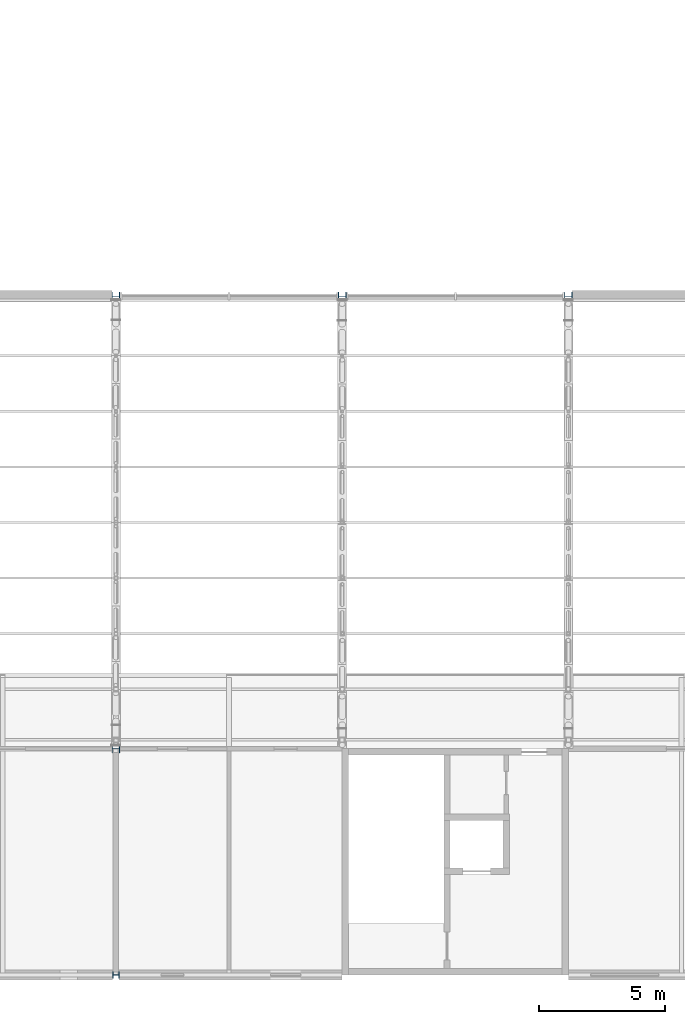
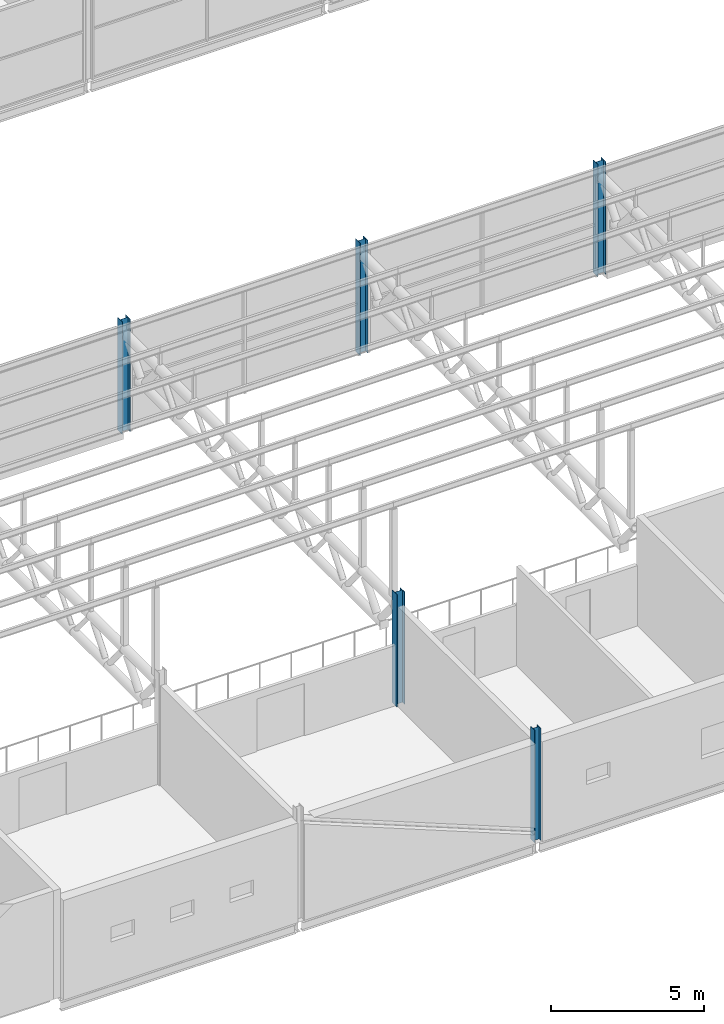
# One storey, part 7 of 138: 5 columns.
"""IFC4 building model written with IfcOpenShell, lengths in metres."""

from ifc_helpers import new_model, si_unit, direction, frame, origin, origin_2d, place, context, subcontext, project, spatial, i_section, extrude, material, material_profile, profile_set, type_object, element, save


model = new_model("IFC4")

# Units and contexts
model_context = context("Model", 3, precision=1e-05, world=origin(), true_north=direction((0.0, 1.0)))
body_context = subcontext(model_context, "Body", "Model", "MODEL_VIEW")
ifc_project = project(units=[si_unit("LENGTHUNIT", "METRE"), si_unit("AREAUNIT", "SQUARE_METRE"), si_unit("VOLUMEUNIT", "CUBIC_METRE"), si_unit("PLANEANGLEUNIT", "RADIAN"), si_unit("MASSUNIT", "GRAM", prefix="KILO")], contexts=[model_context])

# Site, building, storey
site_placement = place(None, origin())
site = spatial("IfcSite", under=ifc_project, at=site_placement, CompositionType="ELEMENT")
building_placement = place(site_placement, origin())
building = spatial("IfcBuilding", under=site, at=building_placement, Name="Corbel Yard City Hall", CompositionType="ELEMENT")
storey_placement = place(building_placement, frame((0.0, 0.0, 10.5)))
storey = spatial("IfcBuildingStorey", under=building, at=storey_placement, Name="L02", CompositionType="ELEMENT", Elevation=10.5)

# Columns
ifc_material = material(Name="Steel Grade 300 (300 MPa yield)", Category="steel")
ifc_material_profile_1 = material_profile(ifc_material, i_section(OverallWidth=0.25390625, OverallDepth=0.25390625, WebThickness=0.008544921875, FlangeThickness=0.01416015625, at=origin_2d()), Name="250UC72.9")
ifc_profile_set_1 = profile_set([ifc_material_profile_1], Name="Steel Grade 300 (300 MPa yield)")
column_type_1 = type_object("IfcColumnType", Name="Column 250UC72.9", PredefinedType="COLUMN", material=ifc_profile_set_1)
column_placement = place(storey_placement, frame((72.0, 0.0, 0.0), z_axis=(0.0, 0.0, 1.0), x_axis=(0.0, 1.0, 0.0)))
element("IfcColumn", 1, at=column_placement, inside=storey, type_object=column_type_1, Name="Column 250UC72.9 A/9 L02", PredefinedType="COLUMN", context=body_context, shape_type="SweptSolid", body=[
    extrude(i_section(OverallWidth=0.25390625, OverallDepth=0.25390625, WebThickness=0.008544921875, FlangeThickness=0.01416015625, at=origin_2d()), origin(), (0.0, 0.0, 1.0), 4.5),
])
ifc_material_profile_2 = material_profile(ifc_material, i_section(OverallWidth=0.304931640625, OverallDepth=0.30810546875, WebThickness=0.010009765625, FlangeThickness=0.015380859375, at=origin_2d()), Name="310UC96.8")
ifc_profile_set_2 = profile_set([ifc_material_profile_2], Name="Steel Grade 300 (300 MPa yield)")
column_type_2 = type_object("IfcColumnType", Name="Column 310UC96.8", PredefinedType="COLUMN", material=ifc_profile_set_2)
for number, where, z_axis, x_axis, name in (
    (2, (72.0, 9.0, 0.0), (0.0, 0.0, 1.0), (0.0, 1.0, 0.0), "Column 310UC96.8 B/9 L02"),
    (3, (72.0, 27.0, 0.0), (0.0, 0.0, 1.0), (0.0, 1.0, 0.0), "Column 310UC96.8 D/9 L02"),
    (4, (81.0, 27.0, 0.0), (0.0, 0.0, 1.0), (0.0, 1.0, 0.0), "Column 310UC96.8 D/10 L02"),
    (5, (90.0, 27.0, 0.0), (0.0, 0.0, 1.0), (0.0, 1.0, 0.0), "Column 310UC96.8 D/11 L02"),
):
    element("IfcColumn", number, at=place(storey_placement, frame(where, z_axis=z_axis, x_axis=x_axis)), inside=storey, type_object=column_type_2, Name=name, PredefinedType="COLUMN", context=body_context, shape_type="SweptSolid", body=[
        extrude(i_section(OverallWidth=0.304931640625, OverallDepth=0.30810546875, WebThickness=0.010009765625, FlangeThickness=0.015380859375, at=origin_2d()), origin(), (0.0, 0.0, 1.0), 4.5),
    ])

save(model, "model.ifc")
